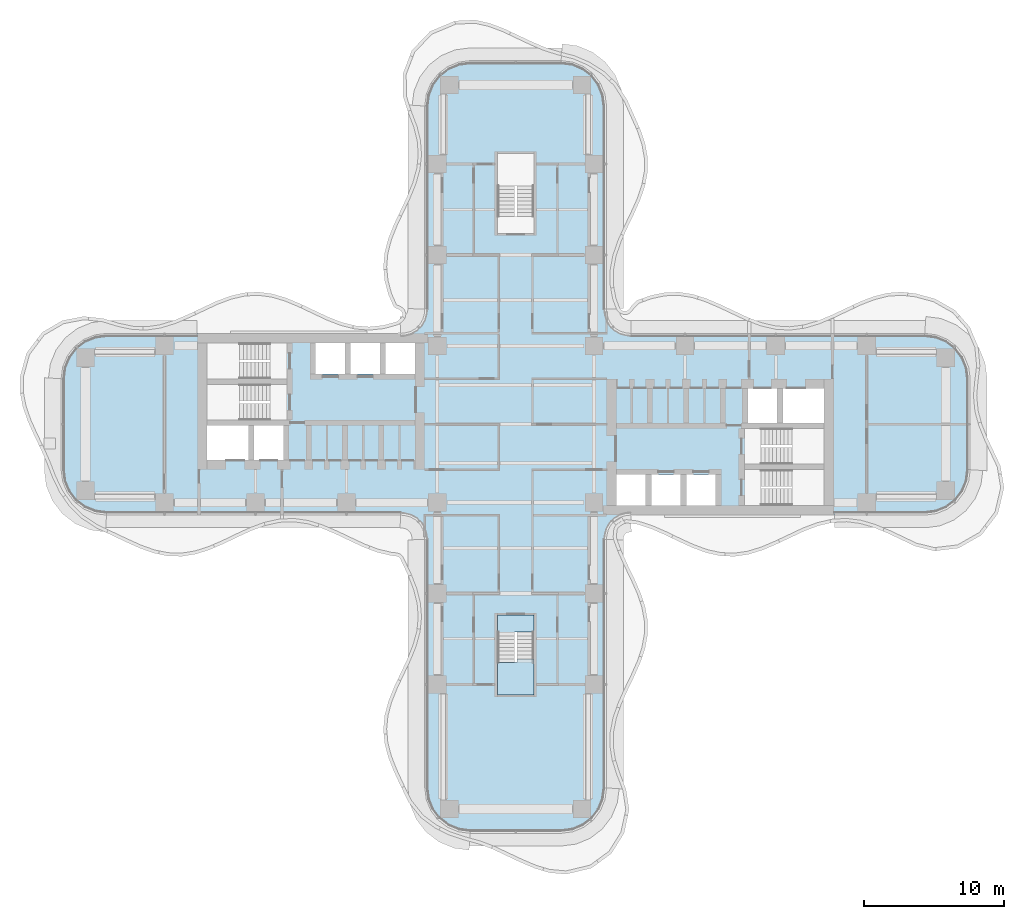
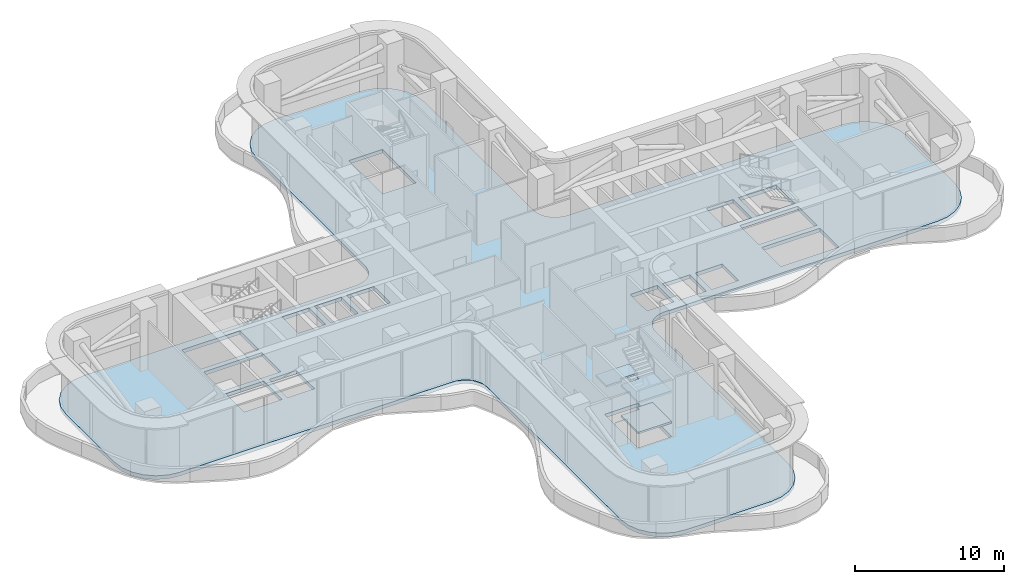
# One storey, part 10 of 20: 4 slabs, 1 element without a shape of its own.
"""IFC4 building model written with IfcOpenShell, lengths in metres."""

from ifc_helpers import new_model, si_unit, direction, frame, origin, place, context, subcontext, project, spatial, polyline, outline, extrude, source, transform, mapped, material, layer, layer_set, type_object, element, aggregate, save


model = new_model("IFC4")

# Units and contexts
model_context = context("Model", 3, precision=1e-05, world=origin(), true_north=direction((0.0, 1.0)))
body_context = subcontext(model_context, "Body", "Model", "MODEL_VIEW")
ifc_project = project(units=[si_unit("LENGTHUNIT", "METRE"), si_unit("AREAUNIT", "SQUARE_METRE"), si_unit("VOLUMEUNIT", "CUBIC_METRE"), si_unit("PLANEANGLEUNIT", "RADIAN"), si_unit("MASSUNIT", "GRAM", prefix="KILO")], contexts=[model_context])

# Site, building, storey
site_placement = place(None, origin())
site = spatial("IfcSite", under=ifc_project, at=site_placement, CompositionType="ELEMENT")
building_placement = place(site_placement, origin())
building = spatial("IfcBuilding", under=site, at=building_placement, Name="Trellis Farm Tower", CompositionType="ELEMENT")
storey_placement = place(building_placement, frame((0.0, 0.0, 92.5)))
storey = spatial("IfcBuildingStorey", under=building, at=storey_placement, Name="L19", CompositionType="ELEMENT", Elevation=92.5)

# Slab
ifc_material_1 = material(Name="Concrete C40/50", Category="concrete")
ifc_layer_1 = layer(ifc_material_1, 0.300048828125)
ifc_layer_set_1 = layer_set([ifc_layer_1], Name="Composite deck floor slab 300")
slab_type_1 = type_object("IfcSlabType", Name="Composite deck floor slab 300", PredefinedType="FLOOR", material=ifc_layer_set_1)
slab_1_placement = place(storey_placement, frame((0.0, 0.0, -0.300048828125)))
element("IfcSlab", 1, at=slab_1_placement, inside=storey, type_object=slab_type_1, Name="Floor slab", PredefinedType="FLOOR", context=body_context, shape_type="SweptSolid", body=[
    extrude(outline(polyline([(-30.09130859375, -6.389404296875), (-30.875, -6.064697265625), (-31.548095703125, -5.548095703125), (-32.064697265625, -4.875), (-32.389404296875, -4.09130859375), (-32.5, -3.25), (-32.5, 3.25), (-32.389404296875, 4.09130859375), (-32.064697265625, 4.875), (-31.548095703125, 5.548095703125), (-30.875, 6.064697265625), (-30.09130859375, 6.389404296875), (-29.25, 6.5), (-8.2314453125, 6.5), (-8.01953125, 6.513916015625), (-7.91552734375, 6.527587890625), (-7.508544921875, 6.63671875), (-7.144287109375, 6.846923828125), (-6.846923828125, 7.144287109375), (-6.63671875, 7.508544921875), (-6.527587890625, 7.91552734375), (-6.513916015625, 8.01953125), (-6.5, 8.2314453125), (-6.5, 22.75), (-6.389404296875, 23.59130859375), (-6.064697265625, 24.375), (-5.548095703125, 25.048095703125), (-4.875, 25.564697265625), (-4.09130859375, 25.889404296875), (-3.25, 26.0), (3.25, 26.0), (4.09130859375, 25.889404296875), (4.875, 25.564697265625), (5.548095703125, 25.048095703125), (6.064697265625, 24.375), (6.389404296875, 23.59130859375), (6.5, 22.75), (6.5, 8.2314453125), (6.513916015625, 8.01953125), (6.527587890625, 7.91552734375), (6.63671875, 7.508544921875), (6.846923828125, 7.144287109375), (7.144287109375, 6.846923828125), (7.508544921875, 6.63671875), (7.91552734375, 6.527587890625), (8.01953125, 6.513916015625), (8.2314453125, 6.5), (29.25, 6.5), (30.09130859375, 6.389404296875), (30.875, 6.064697265625), (31.548095703125, 5.548095703125), (32.064697265625, 4.875), (32.389404296875, 4.09130859375), (32.5, 3.25), (32.5, -3.25), (32.389404296875, -4.09130859375), (32.064697265625, -4.875), (31.548095703125, -5.548095703125), (30.875, -6.064697265625), (30.09130859375, -6.389404296875), (29.25, -6.5), (8.2314453125, -6.5), (8.01953125, -6.513916015625), (7.91552734375, -6.527587890625), (7.508544921875, -6.63671875), (7.144287109375, -6.846923828125), (6.846923828125, -7.144287109375), (6.63671875, -7.508544921875), (6.527587890625, -7.91552734375), (6.513916015625, -8.01953125), (6.5, -8.2314453125), (6.5, -26.0), (6.389404296875, -26.84130859375), (6.064697265625, -27.625), (5.548095703125, -28.298095703125), (4.875, -28.814697265625), (4.09130859375, -29.139404296875), (3.25, -29.25), (-3.25, -29.25), (-4.09130859375, -29.139404296875), (-4.875, -28.814697265625), (-5.548095703125, -28.298095703125), (-6.064697265625, -27.625), (-6.389404296875, -26.84130859375), (-6.5, -26.0), (-6.5, -8.2314453125), (-6.513916015625, -8.01953125), (-6.527587890625, -7.91552734375), (-6.63671875, -7.508544921875), (-6.846923828125, -7.144287109375), (-7.144287109375, -6.846923828125), (-7.508544921875, -6.63671875), (-7.91552734375, -6.527587890625), (-8.01953125, -6.513916015625), (-8.2314453125, -6.5), (-29.25, -6.5), (-30.09130859375, -6.389404296875)]), holes=[polyline([(-22.050048828125, -0.10009765625), (-22.050048828125, -2.550048828125), (-19.10009765625, -2.550048828125), (-19.10009765625, -0.10009765625), (-22.050048828125, -0.10009765625)]), polyline([(-18.699951171875, -0.10009765625), (-18.699951171875, -2.550048828125), (-16.60009765625, -2.550048828125), (-16.60009765625, -0.10009765625), (-18.699951171875, -0.10009765625)]), polyline([(-17.56201171875, 1.64990234375), (-17.56201171875, 2.85009765625), (-22.050048828125, 2.85009765625), (-22.050048828125, 0.300048828125), (-17.56005859375, 0.300048828125), (-17.56005859375, 1.5), (-17.550048828125, 1.5), (-17.550048828125, 1.64990234375), (-17.56201171875, 1.64990234375)]), polyline([(-17.56201171875, 4.60009765625), (-17.56201171875, 5.800048828125), (-22.050048828125, 5.800048828125), (-22.050048828125, 3.25), (-17.56005859375, 3.25), (-17.56005859375, 4.449951171875), (-17.550048828125, 4.449951171875), (-17.550048828125, 4.60009765625), (-17.56201171875, 4.60009765625)]), polyline([(-14.300048828125, 5.800048828125), (-14.300048828125, 3.60009765625), (-12.199951171875, 3.60009765625), (-12.199951171875, 5.800048828125), (-14.300048828125, 5.800048828125)]), polyline([(-11.800048828125, 5.800048828125), (-11.800048828125, 3.60009765625), (-9.699951171875, 3.60009765625), (-9.699951171875, 5.800048828125), (-11.800048828125, 5.800048828125)]), polyline([(-9.300048828125, 5.800048828125), (-9.300048828125, 3.60009765625), (-7.199951171875, 3.60009765625), (-7.199951171875, 5.800048828125), (-9.300048828125, 5.800048828125)]), polyline([(0.10009765625, 14.862060546875), (1.300048828125, 14.862060546875), (1.300048828125, 19.35009765625), (-1.300048828125, 19.35009765625), (-1.300048828125, 14.860107421875), (-0.10009765625, 14.860107421875), (-0.10009765625, 14.85009765625), (0.10009765625, 14.85009765625), (0.10009765625, 14.862060546875)]), polyline([(-0.10009765625, -14.862060546875), (-1.300048828125, -14.862060546875), (-1.300048828125, -19.35009765625), (1.300048828125, -19.35009765625), (1.300048828125, -14.860107421875), (0.10009765625, -14.860107421875), (0.10009765625, -14.85009765625), (-0.10009765625, -14.85009765625), (-0.10009765625, -14.862060546875)]), polyline([(9.300048828125, -5.800048828125), (9.300048828125, -3.60009765625), (7.199951171875, -3.60009765625), (7.199951171875, -5.800048828125), (9.300048828125, -5.800048828125)]), polyline([(11.800048828125, -5.800048828125), (11.800048828125, -3.60009765625), (9.699951171875, -3.60009765625), (9.699951171875, -5.800048828125), (11.800048828125, -5.800048828125)]), polyline([(14.300048828125, -5.800048828125), (14.300048828125, -3.60009765625), (12.199951171875, -3.60009765625), (12.199951171875, -5.800048828125), (14.300048828125, -5.800048828125)]), polyline([(17.56201171875, -4.60009765625), (17.56201171875, -5.800048828125), (22.050048828125, -5.800048828125), (22.050048828125, -3.25), (17.56005859375, -3.25), (17.56005859375, -4.449951171875), (17.550048828125, -4.449951171875), (17.550048828125, -4.60009765625), (17.56201171875, -4.60009765625)]), polyline([(17.56201171875, -1.64990234375), (17.56201171875, -2.85009765625), (22.050048828125, -2.85009765625), (22.050048828125, -0.300048828125), (17.56005859375, -0.300048828125), (17.56005859375, -1.5), (17.550048828125, -1.5), (17.550048828125, -1.64990234375), (17.56201171875, -1.64990234375)]), polyline([(18.699951171875, 0.10009765625), (18.699951171875, 2.550048828125), (16.60009765625, 2.550048828125), (16.60009765625, 0.10009765625), (18.699951171875, 0.10009765625)]), polyline([(22.050048828125, 0.10009765625), (22.050048828125, 2.550048828125), (19.10009765625, 2.550048828125), (19.10009765625, 0.10009765625), (22.050048828125, 0.10009765625)])]), origin(), (0.0, 0.0, 1.0), 0.300048828125),
])

# Stair, slabs
ifc_material_2 = material(Name="Concrete C50/60", Category="concrete")
stair_type = type_object("IfcStairType", Name="CORE EXIT STAIR 36 RISERS 139 MM", PredefinedType="HALF_TURN_STAIR", material=ifc_material_2)
stair_placement = place(storey_placement, origin())
stair = element("IfcStair", 2, at=stair_placement, inside=storey, type_object=stair_type, Name="Exit stair S", PredefinedType="HALF_TURN_STAIR")
ifc_layer_2 = layer(ifc_material_2, 0.14990234375)
ifc_layer_set_2 = layer_set([ifc_layer_2], Name="CORE STAIR LANDING 150 CONCRETE C50/60")
slab_type_2 = type_object("IfcSlabType", Name="CORE STAIR LANDING 150 CONCRETE C50/60", PredefinedType="LANDING", material=ifc_layer_set_2)
shared_shape_1 = source(origin(), body_context, "Body", "SweptSolid", [
    extrude(outline(polyline([(1.300048828125, -19.35009765625), (-1.300048828125, -19.35009765625), (-1.300048828125, -17.050048828125), (-1.300048828125, -17.0400390625), (-0.10009765625, -17.0400390625), (-0.10009765625, -17.050048828125), (0.10009765625, -17.050048828125), (0.10009765625, -16.79052734375), (1.300048828125, -16.79052734375), (1.300048828125, -17.050048828125), (1.300048828125, -19.35009765625)])), origin(), (0.0, 0.0, 1.0), 0.14990234375),
])
slab_2_placement = place(storey_placement, frame((0.0, 0.0, 1.10009765625)))
slab_2 = element("IfcSlab", 3, at=slab_2_placement, type_object=slab_type_2, Name="STS landing 1", PredefinedType="LANDING", context=body_context, shape_type="MappedRepresentation", body=[
    mapped(shared_shape_1, transform((0.0, 0.0, 0.0))),
])
slab_3_placement = place(storey_placement, frame((0.0, 0.0, 3.60009765625)))
slab_3 = element("IfcSlab", 4, at=slab_3_placement, type_object=slab_type_2, Name="STS landing 3", PredefinedType="LANDING", context=body_context, shape_type="MappedRepresentation", body=[
    mapped(shared_shape_1, transform((0.0, 0.0, 0.0))),
])
shared_shape_2 = source(origin(), body_context, "Body", "SweptSolid", [
    extrude(outline(polyline([(-0.10009765625, -15.109375), (-1.300048828125, -15.109375), (-1.300048828125, -14.85009765625), (-1.300048828125, -13.64990234375), (1.300048828125, -13.64990234375), (1.300048828125, -14.85009765625), (1.300048828125, -14.860107421875), (0.10009765625, -14.860107421875), (0.10009765625, -14.85009765625), (-0.10009765625, -14.85009765625), (-0.10009765625, -15.109375)])), origin(), (0.0, 0.0, 1.0), 0.14990234375),
])
slab_4_placement = place(storey_placement, frame((0.0, 0.0, 2.35009765625)))
slab_4 = element("IfcSlab", 5, at=slab_4_placement, type_object=slab_type_2, Name="STS landing 2", PredefinedType="LANDING", context=body_context, shape_type="MappedRepresentation", body=[
    mapped(shared_shape_2, transform((0.0, 0.0, 0.0))),
])
aggregate(stair, [slab_2, slab_4, slab_3])

save(model, "model.ifc")
